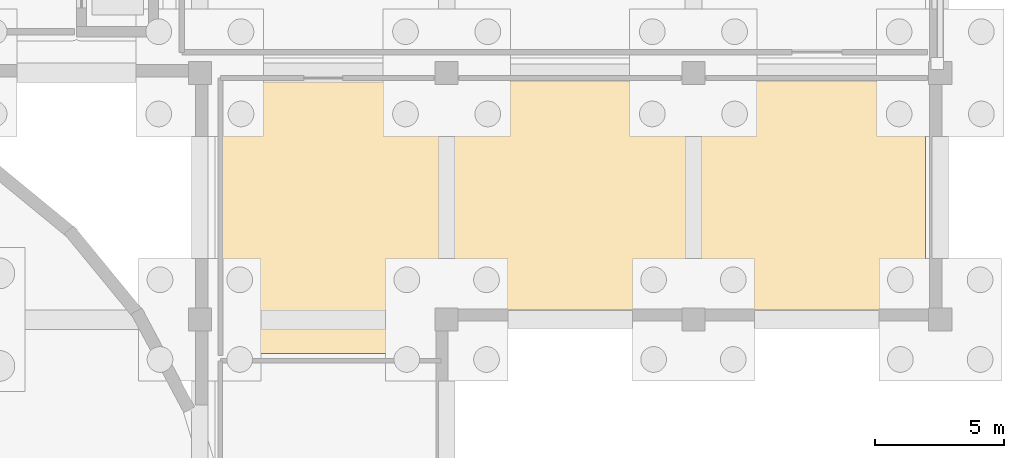
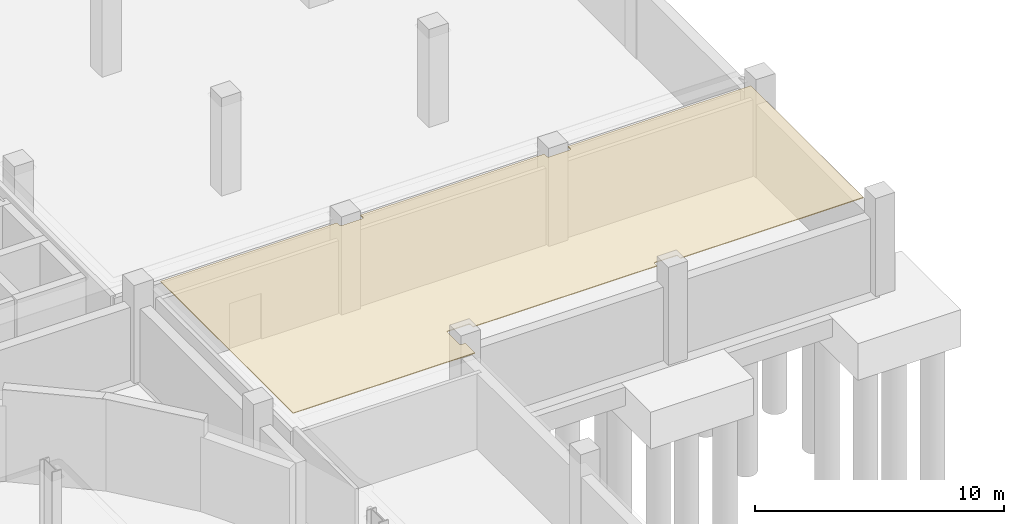
# One storey, part 62 of 67: 1 covering.
"""IFC4 building model written with IfcOpenShell, lengths in metres."""

from ifc_helpers import new_model, si_unit, direction, frame, origin, place, context, subcontext, project, spatial, polyline, outline, extrude, material, layer, layer_set, type_object, element, save


model = new_model("IFC4")

# Units and contexts
model_context = context("Model", 3, precision=1e-05, world=origin(), true_north=direction((0.0, 1.0)))
body_context = subcontext(model_context, "Body", "Model", "MODEL_VIEW")
ifc_project = project(units=[si_unit("LENGTHUNIT", "METRE"), si_unit("AREAUNIT", "SQUARE_METRE"), si_unit("VOLUMEUNIT", "CUBIC_METRE"), si_unit("PLANEANGLEUNIT", "RADIAN"), si_unit("MASSUNIT", "GRAM", prefix="KILO")], contexts=[model_context])

# Site, building, storey
site_placement = place(None, origin())
site = spatial("IfcSite", under=ifc_project, at=site_placement, CompositionType="ELEMENT")
building_placement = place(site_placement, origin())
building = spatial("IfcBuilding", under=site, at=building_placement, Name="Caelomonte Colonnade Arena", CompositionType="ELEMENT")
storey_placement = place(building_placement, frame((0.0, 0.0, -4.800048828125)))
storey = spatial("IfcBuildingStorey", under=building, at=storey_placement, Name="B1", CompositionType="ELEMENT", Elevation=-4.800048828125)

# Covering
ifc_material = material(Name="Perforated acoustic mineral-fibre ceiling")
ifc_layer = layer(ifc_material, 0.0400390625)
ifc_layer_set = layer_set([ifc_layer], Name="Perforated acoustic mineral-fibre ceiling")
covering_type = type_object("IfcCoveringType", Name="INT-CV-CEIL1", PredefinedType="CEILING", material=ifc_layer_set)
covering_placement = place(storey_placement, frame((0.0, 0.0, 4.420166015625)))
element("IfcCovering", 1, at=covering_placement, inside=storey, type_object=covering_type, Name="B1 Courtside Club Lounge acoustic ceiling", PredefinedType="CEILING", context=body_context, shape_type="SweptSolid", body=[
    extrude(outline(polyline([(182.944580078125, 106.07275390625), (182.945068359375, 106.06494140625), (182.945068359375, 105.89990234375), (191.419921875, 105.89990234375), (191.419921875, 114.919921875), (182.945068359375, 114.919921875), (182.945068359375, 114.735107421875), (182.944580078125, 114.727294921875), (182.943603515625, 114.719482421875), (182.941650390625, 114.7119140625), (182.93896484375, 114.704345703125), (182.935546875, 114.697265625), (182.931396484375, 114.690673828125), (182.9267578125, 114.68408203125), (182.921630859375, 114.678466796875), (182.915771484375, 114.673095703125), (182.909423828125, 114.66845703125), (182.902587890625, 114.664306640625), (182.8955078125, 114.6611328125), (182.88818359375, 114.658447265625), (182.880615234375, 114.656494140625), (182.872802734375, 114.655517578125), (182.864990234375, 114.655029296875), (181.93505859375, 114.655029296875), (181.92724609375, 114.655517578125), (181.91943359375, 114.656494140625), (181.911865234375, 114.658447265625), (181.904296875, 114.6611328125), (181.897216796875, 114.664306640625), (181.890625, 114.66845703125), (181.88427734375, 114.673095703125), (181.87841796875, 114.678466796875), (181.873291015625, 114.68408203125), (181.868408203125, 114.690673828125), (181.864501953125, 114.697265625), (181.861083984375, 114.704345703125), (181.8583984375, 114.7119140625), (181.8564453125, 114.719482421875), (181.85546875, 114.727294921875), (181.85498046875, 114.735107421875), (181.85498046875, 114.919921875), (173.344970703125, 114.919921875), (173.344970703125, 114.735107421875), (173.344482421875, 114.727294921875), (173.343505859375, 114.719482421875), (173.341552734375, 114.7119140625), (173.3388671875, 114.704345703125), (173.335693359375, 114.697265625), (173.33154296875, 114.690673828125), (173.326904296875, 114.68408203125), (173.321533203125, 114.678466796875), (173.31591796875, 114.673095703125), (173.309326171875, 114.66845703125), (173.302734375, 114.664306640625), (173.295654296875, 114.6611328125), (173.2880859375, 114.658447265625), (173.280517578125, 114.656494140625), (173.272705078125, 114.655517578125), (173.264892578125, 114.655029296875), (172.3349609375, 114.655029296875), (172.3271484375, 114.655517578125), (172.3193359375, 114.656494140625), (172.311767578125, 114.658447265625), (172.304443359375, 114.6611328125), (172.29736328125, 114.664306640625), (172.29052734375, 114.66845703125), (172.2841796875, 114.673095703125), (172.2783203125, 114.678466796875), (172.273193359375, 114.68408203125), (172.2685546875, 114.690673828125), (172.264404296875, 114.697265625), (172.260986328125, 114.704345703125), (172.25830078125, 114.7119140625), (172.256591796875, 114.719482421875), (172.25537109375, 114.727294921875), (172.2548828125, 114.735107421875), (172.2548828125, 114.919921875), (164.080078125, 114.919921875), (164.080078125, 104.280029296875), (172.5, 104.280029296875), (172.5, 105.054931640625), (172.3349609375, 105.054931640625), (172.3271484375, 105.055419921875), (172.3193359375, 105.056396484375), (172.311767578125, 105.058349609375), (172.304443359375, 105.06103515625), (172.29736328125, 105.064453125), (172.29052734375, 105.068603515625), (172.2841796875, 105.0732421875), (172.2783203125, 105.078369140625), (172.273193359375, 105.084228515625), (172.2685546875, 105.090576171875), (172.264404296875, 105.097412109375), (172.260986328125, 105.1044921875), (172.25830078125, 105.11181640625), (172.256591796875, 105.119384765625), (172.25537109375, 105.127197265625), (172.2548828125, 105.135009765625), (172.2548828125, 106.06494140625), (172.25537109375, 106.07275390625), (172.256591796875, 106.08056640625), (172.25830078125, 106.088134765625), (172.260986328125, 106.095703125), (172.264404296875, 106.102783203125), (172.2685546875, 106.109375), (172.273193359375, 106.11572265625), (172.2783203125, 106.12158203125), (172.2841796875, 106.126708984375), (172.29052734375, 106.131591796875), (172.29736328125, 106.135498046875), (172.304443359375, 106.138916015625), (172.311767578125, 106.1416015625), (172.3193359375, 106.1435546875), (172.3271484375, 106.14453125), (172.3349609375, 106.14501953125), (173.264892578125, 106.14501953125), (173.272705078125, 106.14453125), (173.280517578125, 106.1435546875), (173.2880859375, 106.1416015625), (173.295654296875, 106.138916015625), (173.302734375, 106.135498046875), (173.309326171875, 106.131591796875), (173.31591796875, 106.126708984375), (173.321533203125, 106.12158203125), (173.326904296875, 106.11572265625), (173.33154296875, 106.109375), (173.335693359375, 106.102783203125), (173.3388671875, 106.095703125), (173.341552734375, 106.088134765625), (173.343505859375, 106.08056640625), (173.344482421875, 106.07275390625), (173.344970703125, 106.06494140625), (173.344970703125, 105.89990234375), (181.85498046875, 105.89990234375), (181.85498046875, 106.06494140625), (181.85546875, 106.07275390625), (181.8564453125, 106.08056640625), (181.8583984375, 106.088134765625), (181.861083984375, 106.095703125), (181.864501953125, 106.102783203125), (181.868408203125, 106.109375), (181.873291015625, 106.11572265625), (181.87841796875, 106.12158203125), (181.88427734375, 106.126708984375), (181.890625, 106.131591796875), (181.897216796875, 106.135498046875), (181.904296875, 106.138916015625), (181.911865234375, 106.1416015625), (181.91943359375, 106.1435546875), (181.92724609375, 106.14453125), (181.93505859375, 106.14501953125), (182.864990234375, 106.14501953125), (182.872802734375, 106.14453125), (182.880615234375, 106.1435546875), (182.88818359375, 106.1416015625), (182.8955078125, 106.138916015625), (182.902587890625, 106.135498046875), (182.909423828125, 106.131591796875), (182.915771484375, 106.126708984375), (182.921630859375, 106.12158203125), (182.9267578125, 106.11572265625), (182.931396484375, 106.109375), (182.935546875, 106.102783203125), (182.93896484375, 106.095703125), (182.941650390625, 106.088134765625), (182.943603515625, 106.08056640625), (182.944580078125, 106.07275390625)])), origin(), (0.0, 0.0, 1.0), 0.039794921875),
])

save(model, "model.ifc")
